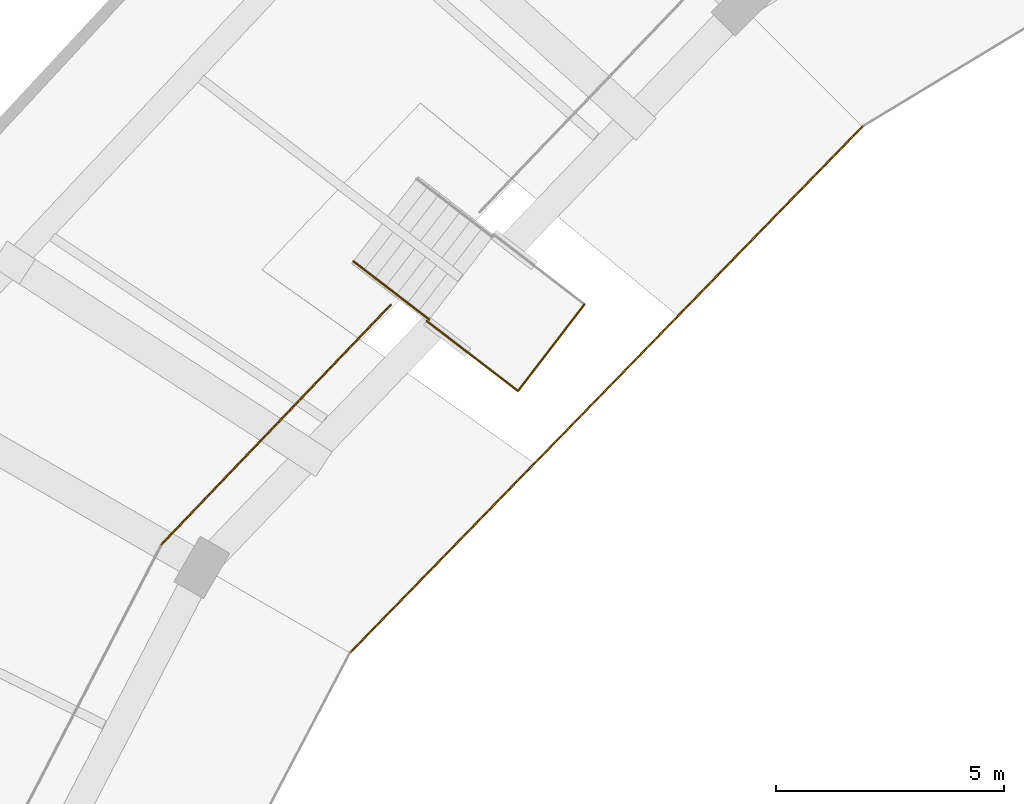
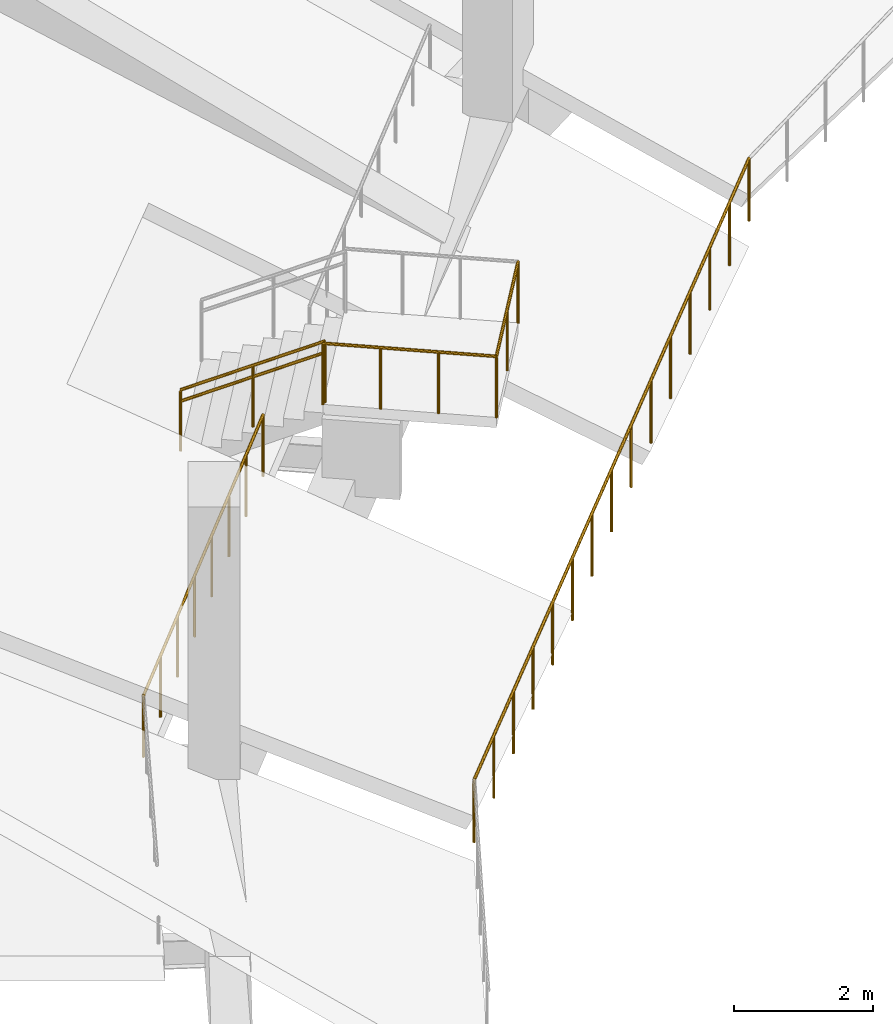
# One storey, part 125 of 152: 6 railings.
"""IFC4 building model written with IfcOpenShell, lengths in metres."""

import ifcopenshell
import ifcopenshell.guid

model = None  # the IFC model being written
_history = None  # IfcOwnerHistory: only IFC2X3 demands one
_inside = {}  # id of a spatial element -> (the spatial element, [elements in it])
_under = {}  # id of a project, library or spatial element -> (it, [spatial elements below it])
_declared = {}  # id of a project -> (the project, [libraries it declares])
_typed = {}  # id of a type object -> (the type object, [elements of that type])
_made_of = {}  # id of a material, layer set ... -> (it, [elements and type objects made of it])


def new_model(schema):
    """Start an empty IFC model of exactly this schema.

    Asked for "IFC4X3", IfcOpenShell would pick the latest addendum, in which some entities
    have other attributes; the version numbers below select the first issue.
    IFC2X3 requires an IfcOwnerHistory on every rooted entity: one is made here for all.
    """
    global model, _history
    if schema == "IFC4X3":
        model = ifcopenshell.file(schema_version=(4, 3, 0, 0))
    else:
        model = ifcopenshell.file(schema=schema)
    _inside.clear()
    _under.clear()
    _declared.clear()
    _typed.clear()
    _made_of.clear()
    _history = None
    if model.schema == "IFC2X3":
        org = make("IfcOrganization", Name="unknown")
        user = make(
            "IfcPersonAndOrganization",
            ThePerson=make("IfcPerson", FamilyName="unknown"),
            TheOrganization=org,
        )
        app = make(
            "IfcApplication",
            ApplicationDeveloper=org,
            Version="unknown",
            ApplicationFullName="unknown",
            ApplicationIdentifier="unknown",
        )
        _history = make(
            "IfcOwnerHistory",
            OwningUser=user,
            OwningApplication=app,
            ChangeAction="ADDED",
            CreationDate=0,
        )
    return model


def make(cls, **values):
    """One entity of the class cls with the attributes given. An attribute that is None is left unset."""
    return model.create_entity(
        cls, **{name: value for name, value in values.items() if value is not None}
    )


def rooted(cls, **values):
    """An entity with a GlobalId (a new one), such as an element, a storey or a relation."""
    return make(cls, GlobalId=ifcopenshell.guid.new(), OwnerHistory=_history, **values)


def si_unit(unit_type, name, prefix=None):
    """IfcSIUnit, for example si_unit("LENGTHUNIT", "METRE", prefix="MILLI")."""
    return make("IfcSIUnit", UnitType=unit_type, Prefix=prefix, Name=name)


def assignment(units):
    """IfcUnitAssignment: the units of a project."""
    return None if units is None else make("IfcUnitAssignment", Units=units)


def point(xyz):
    """IfcCartesianPoint."""
    return None if xyz is None else make("IfcCartesianPoint", Coordinates=xyz)


def direction(xyz):
    """IfcDirection."""
    return None if xyz is None else make("IfcDirection", DirectionRatios=xyz)


def frame(location, z_axis=None, x_axis=None):
    """IfcAxis2Placement3D, a coordinate frame: its origin and axes. An axis left out is left unset."""
    return make(
        "IfcAxis2Placement3D",
        Location=point(location),
        Axis=direction(z_axis),
        RefDirection=direction(x_axis),
    )


def frame_2d(location, x_axis=None):
    """IfcAxis2Placement2D, a coordinate frame in the plane: its origin and x axis."""
    return make(
        "IfcAxis2Placement2D", Location=point(location), RefDirection=direction(x_axis)
    )


def origin():
    """The frame at (0, 0, 0) with its axes left unset."""
    return frame((0.0, 0.0, 0.0))


def origin_2d():
    """The frame at (0, 0) in the plane with its x axis left unset."""
    return frame_2d((0.0, 0.0))


def place(relative_to, where):
    """IfcLocalPlacement: puts the frame where relative to a parent placement (None: the world)."""
    return make(
        "IfcLocalPlacement", PlacementRelTo=relative_to, RelativePlacement=where
    )


def context(
    kind, dimensions, precision=None, world=None, true_north=None, identifier=None
):
    """IfcGeometricRepresentationContext, for example the 3D "Model" context."""
    return make(
        "IfcGeometricRepresentationContext",
        ContextIdentifier=identifier,
        ContextType=kind,
        CoordinateSpaceDimension=dimensions,
        Precision=precision,
        WorldCoordinateSystem=world,
        TrueNorth=true_north,
    )


def subcontext(parent, identifier, kind, view, scale=None):
    """IfcGeometricRepresentationSubContext, for example "Body" below "Model"."""
    return make(
        "IfcGeometricRepresentationSubContext",
        ContextIdentifier=identifier,
        ContextType=kind,
        ParentContext=parent,
        TargetScale=scale,
        TargetView=view,
    )


def project(units=None, contexts=None):
    """IfcProject with its units and contexts."""
    return rooted(
        "IfcProject",
        Name="project",
        RepresentationContexts=contexts,
        UnitsInContext=assignment(units),
    )


def spatial(cls, under=None, at=None, **own):
    """A site, building, storey or space (cls), placed at a placement, below another one or the project."""
    s = rooted(cls, ObjectPlacement=at, **own)
    if under is not None:
        _under.setdefault(under.id(), (under, []))[1].append(s)
    return s


def profile(cls, at=None, kind="AREA", **sizes):
    """A parametric profile (cls). Its sizes go by their IFC names, for example OverallWidth=200.0."""
    return make(cls, ProfileType=kind, Position=at, **sizes)


def circle(**sizes):
    """IfcCircleProfileDef."""
    return profile("IfcCircleProfileDef", **sizes)


def extrude(swept, where, along, depth):
    """IfcExtrudedAreaSolid: the profile swept, set in the frame where, extruded along a direction by depth."""
    return make(
        "IfcExtrudedAreaSolid",
        SweptArea=swept,
        Position=where,
        ExtrudedDirection=direction(along),
        Depth=depth,
    )


def shape(context_of_items, identifier, shape_type, items):
    """IfcShapeRepresentation: the items that make up one representation, for example the "Body"."""
    return make(
        "IfcShapeRepresentation",
        ContextOfItems=context_of_items,
        RepresentationIdentifier=identifier,
        RepresentationType=shape_type,
        Items=items,
    )


def material(Name=None, Category=None):
    """IfcMaterial."""
    return make("IfcMaterial", Name=Name, Category=Category)


def made_of(thing, what):
    """Note that an element or type object is made of a material, layer set ...; save() writes the relation."""
    if what is not None:
        _made_of.setdefault(what.id(), (what, []))[1].append(thing)
    return thing


def type_object(cls, material=None, **own):
    """A type object (cls), such as IfcWallType, which elements share."""
    return made_of(rooted(cls, **own), material)


def element(
    cls,
    number,
    at=None,
    inside=None,
    cuts=None,
    type_object=None,
    material=None,
    context=None,
    identifier="Body",
    shape_type=None,
    held_by="IfcProductDefinitionShape",
    body=None,
    shapes=None,
    **own,
):
    """One element of the class cls, such as IfcWall. Its Tag is "e" and its number.

    at: its placement. inside: the storey or other place that contains it. cuts: it is an
    opening in that element (IfcRelVoidsElement). A single representation is given by context,
    identifier, shape_type and body (its items); several are given by shapes. held_by: the class
    of the entity that holds the representations. save() writes the other relations.
    """
    e = rooted(cls, Tag="e%d" % number, ObjectPlacement=at, **own)
    if body is not None:
        shapes = [shape(context, identifier, shape_type, body)]
    if shapes is not None:
        e.Representation = make(held_by, Representations=shapes)
    if inside is not None:
        _inside.setdefault(inside.id(), (inside, []))[1].append(e)
    if cuts is not None:
        rooted(
            "IfcRelVoidsElement", RelatingBuildingElement=cuts, RelatedOpeningElement=e
        )
    if type_object is not None:
        _typed.setdefault(type_object.id(), (type_object, []))[1].append(e)
    return made_of(e, material)


def aggregate(whole, parts):
    """IfcRelAggregates: a whole, such as a stair, and the parts it consists of."""
    return rooted("IfcRelAggregates", RelatingObject=whole, RelatedObjects=parts)


def save(model, path):
    """Write the relations noted so far, then the file.

    IfcRelAggregates (storeys below a building ...), IfcRelContainedInSpatialStructure (elements
    in a storey), IfcRelDefinesByType, IfcRelAssociatesMaterial and IfcRelDeclares: one each for
    every whole, place, type object, material and project.
    """
    for whole, parts in _under.values():
        aggregate(whole, parts)
    for where, things in _inside.values():
        rooted(
            "IfcRelContainedInSpatialStructure",
            RelatedElements=things,
            RelatingStructure=where,
        )
    for kind, things in _typed.values():
        rooted("IfcRelDefinesByType", RelatedObjects=things, RelatingType=kind)
    for what, things in _made_of.values():
        rooted("IfcRelAssociatesMaterial", RelatedObjects=things, RelatingMaterial=what)
    for by, libraries in _declared.values():
        rooted("IfcRelDeclares", RelatingContext=by, RelatedDefinitions=libraries)
    model.write(path)


model = new_model("IFC4")

# Units and contexts
model_context = context("Model", 3, precision=1e-05, world=origin(), true_north=direction((0.0, 1.0)))
body_context = subcontext(model_context, "Body", "Model", "MODEL_VIEW")
ifc_project = project(units=[si_unit("LENGTHUNIT", "METRE"), si_unit("AREAUNIT", "SQUARE_METRE"), si_unit("VOLUMEUNIT", "CUBIC_METRE"), si_unit("PLANEANGLEUNIT", "RADIAN"), si_unit("MASSUNIT", "GRAM", prefix="KILO")], contexts=[model_context])

# Site, building, storey
site_placement = place(None, origin())
site = spatial("IfcSite", under=ifc_project, at=site_placement, CompositionType="ELEMENT")
building_placement = place(site_placement, origin())
building = spatial("IfcBuilding", under=site, at=building_placement, Name="Zevraka Park Crest Stadium", CompositionType="ELEMENT")
storey_placement = place(building_placement, frame((0.0, 0.0, 15.0)))
storey = spatial("IfcBuildingStorey", under=building, at=storey_placement, Name="L03", CompositionType="ELEMENT", Elevation=15.0)

# Railings
ifc_material_1 = material(Name="Galvanised and bronze-finished steel balustrade", Category="steel")
railing_type_1 = type_object("IfcRailingType", Name="GR01", PredefinedType="GUARDRAIL", material=ifc_material_1)
railing_1_placement = place(storey_placement, frame((51.623046875, 127.510986328125, 0.0)))
element("IfcRailing", 1, at=railing_1_placement, inside=storey, type_object=railing_type_1, Name="Deck Edge Protection Guardrail GR01 L03-76", PredefinedType="GUARDRAIL", context=body_context, shape_type="SweptSolid", body=[
    extrude(circle(Radius=0.02392578125, at=origin_2d()), frame((0.0, 0.0, 1.076171875), z_axis=(-0.691339270545, -0.72253028518, 0.0), x_axis=(0.72253028518, -0.691339270545, 0.0)), (0.0, 0.0, 1.0), 7.271484375),
    extrude(circle(Radius=0.02099609375, at=origin_2d()), origin(), (0.0, 0.0, 1.0), 1.052001953125),
    extrude(circle(Radius=0.02099609375, at=origin_2d()), frame((-0.71826171875, -0.75048828125, 0.0)), (0.0, 0.0, 1.0), 1.052001953125),
    extrude(circle(Radius=0.02099609375, at=origin_2d()), frame((-1.436279296875, -1.501220703125, 0.0)), (0.0, 0.0, 1.0), 1.052001953125),
    extrude(circle(Radius=0.02099609375, at=origin_2d()), frame((-2.154541015625, -2.251708984375, 0.0)), (0.0, 0.0, 1.0), 1.052001953125),
    extrude(circle(Radius=0.02099609375, at=origin_2d()), frame((-2.87255859375, -3.002197265625, 0.0)), (0.0, 0.0, 1.0), 1.052001953125),
    extrude(circle(Radius=0.02099609375, at=origin_2d()), frame((-3.5908203125, -3.752685546875, 0.0)), (0.0, 0.0, 1.0), 1.052001953125),
    extrude(circle(Radius=0.02099609375, at=origin_2d()), frame((-4.308837890625, -4.50341796875, 0.0)), (0.0, 0.0, 1.0), 1.052001953125),
    extrude(circle(Radius=0.02099609375, at=origin_2d()), frame((-5.027099609375, -5.25390625, 0.0)), (0.0, 0.0, 1.0), 1.052001953125),
])
ifc_material_2 = material(Name="Laminated glass and stainless steel sightline bowl guard", Category="steel")
railing_type_2 = type_object("IfcRailingType", Name="GR02", PredefinedType="GUARDRAIL", material=ifc_material_2)
railing_2_placement = place(storey_placement, frame((61.971923828125, 131.4208984375, -1.5)))
element("IfcRailing", 2, at=railing_2_placement, inside=storey, type_object=railing_type_2, Name="Upper Tier Cantilever Sightline Guard GR02 09", PredefinedType="GUARDRAIL", context=body_context, shape_type="SweptSolid", body=[
    extrude(circle(Radius=0.02392578125, at=origin_2d()), frame((0.0, 0.0, 1.09619140625), z_axis=(-0.697644105553, -0.716444486326, 0.0), x_axis=(0.716444486326, -0.697644105553, 0.0)), (0.0, 0.0, 1.0), 16.115478515625),
    extrude(circle(Radius=0.02099609375, at=origin_2d()), origin(), (0.0, 0.0, 1.0), 1.072021484375),
    extrude(circle(Radius=0.02099609375, at=origin_2d()), frame((-0.802978515625, -0.82470703125, 0.0)), (0.0, 0.0, 1.0), 1.072021484375),
    extrude(circle(Radius=0.02099609375, at=origin_2d()), frame((-1.606201171875, -1.6494140625, 0.0)), (0.0, 0.0, 1.0), 1.072021484375),
    extrude(circle(Radius=0.02099609375, at=origin_2d()), frame((-2.4091796875, -2.47412109375, 0.0)), (0.0, 0.0, 1.0), 1.072021484375),
    extrude(circle(Radius=0.02099609375, at=origin_2d()), frame((-3.212158203125, -3.298828125, 0.0)), (0.0, 0.0, 1.0), 1.072021484375),
    extrude(circle(Radius=0.02099609375, at=origin_2d()), frame((-4.015380859375, -4.12353515625, 0.0)), (0.0, 0.0, 1.0), 1.072021484375),
    extrude(circle(Radius=0.02099609375, at=origin_2d()), frame((-4.818359375, -4.9482421875, 0.0)), (0.0, 0.0, 1.0), 1.072021484375),
    extrude(circle(Radius=0.02099609375, at=origin_2d()), frame((-5.62158203125, -5.77294921875, 0.0)), (0.0, 0.0, 1.0), 1.072021484375),
    extrude(circle(Radius=0.02099609375, at=origin_2d()), frame((-6.424560546875, -6.59765625, 0.0)), (0.0, 0.0, 1.0), 1.072021484375),
    extrude(circle(Radius=0.02099609375, at=origin_2d()), frame((-7.2275390625, -7.42236328125, 0.0)), (0.0, 0.0, 1.0), 1.072021484375),
    extrude(circle(Radius=0.02099609375, at=origin_2d()), frame((-8.03076171875, -8.2470703125, 0.0)), (0.0, 0.0, 1.0), 1.072021484375),
    extrude(circle(Radius=0.02099609375, at=origin_2d()), frame((-8.833740234375, -9.07177734375, 0.0)), (0.0, 0.0, 1.0), 1.072021484375),
    extrude(circle(Radius=0.02099609375, at=origin_2d()), frame((-9.63671875, -9.896484375, 0.0)), (0.0, 0.0, 1.0), 1.072021484375),
    extrude(circle(Radius=0.02099609375, at=origin_2d()), frame((-10.43994140625, -10.72119140625, 0.0)), (0.0, 0.0, 1.0), 1.072021484375),
    extrude(circle(Radius=0.02099609375, at=origin_2d()), frame((-11.242919921875, -11.5458984375, 0.0)), (0.0, 0.0, 1.0), 1.072021484375),
])
ifc_material_3 = material(Name="Powder-coated tubular steel stairwell guard", Category="steel")
railing_type_3 = type_object("IfcRailingType", Name="GR03", PredefinedType="GUARDRAIL", material=ifc_material_3)
railing_3_placement = place(storey_placement, frame((50.802978515625, 128.468017578125, 0.14990234375)))
element("IfcRailing", 3, at=railing_3_placement, inside=storey, type_object=railing_type_3, Name="Vomitory Flight Guard VS-12-1", PredefinedType="GUARDRAIL", context=body_context, shape_type="SweptSolid", body=[
    extrude(circle(Radius=0.02392578125, at=origin_2d()), frame((0.0, 0.0, 1.076171875), z_axis=(0.709477038954, -0.5446878967, 0.447165994218), x_axis=(0.608963378379, 0.793198338244, 0.0)), (0.0, 0.0, 1.0), 2.34814453125),
    extrude(circle(Radius=0.02099609375, at=origin_2d()), origin(), (0.0, 0.0, 1.0), 1.052001953125),
    extrude(circle(Radius=0.02099609375, at=origin_2d()), frame((0.8330078125, -0.6396484375, 0.52490234375)), (0.0, 0.0, 1.0), 1.052001953125),
    extrude(circle(Radius=0.02099609375, at=origin_2d()), frame((1.666015625, -1.279052734375, 1.050048828125)), (0.0, 0.0, 1.0), 1.052001953125),
])
railing_4_placement = place(storey_placement, frame((52.4130859375, 127.156982421875, 1.199951171875)))
element("IfcRailing", 4, at=railing_4_placement, inside=storey, type_object=railing_type_3, Name="Vomitory Landing Guard VS-12-1", PredefinedType="GUARDRAIL", context=body_context, shape_type="SweptSolid", body=[
    extrude(circle(Radius=0.02392578125, at=origin_2d()), frame((0.0, 0.0, 1.076171875), z_axis=(0.793360374373, -0.608752261906, 0.0), x_axis=(0.608752261906, 0.793360374373, 0.0)), (0.0, 0.0, 1.0), 2.524658203125),
    extrude(circle(Radius=0.02099609375, at=origin_2d()), origin(), (0.0, 0.0, 1.0), 1.052001953125),
    extrude(circle(Radius=0.02099609375, at=origin_2d()), frame((0.667724609375, -0.51220703125, 0.0)), (0.0, 0.0, 1.0), 1.052001953125),
    extrude(circle(Radius=0.02099609375, at=origin_2d()), frame((1.335205078125, -1.024658203125, 0.0)), (0.0, 0.0, 1.0), 1.052001953125),
    extrude(circle(Radius=0.02099609375, at=origin_2d()), frame((2.0029296875, -1.536865234375, 0.0)), (0.0, 0.0, 1.0), 1.052001953125),
])
railing_5_placement = place(storey_placement, frame((54.416015625, 125.6201171875, 1.199951171875)))
element("IfcRailing", 5, at=railing_5_placement, inside=storey, type_object=railing_type_3, Name="Vomitory Landing Guard VS-12-2", PredefinedType="GUARDRAIL", context=body_context, shape_type="SweptSolid", body=[
    extrude(circle(Radius=0.02392578125, at=origin_2d()), frame((0.0, 0.0, 1.076171875), z_axis=(0.608786026993, 0.793334464988, 0.0), x_axis=(-0.793334464988, 0.608786026993, 0.0)), (0.0, 0.0, 1.0), 2.399658203125),
    extrude(circle(Radius=0.02099609375, at=origin_2d()), origin(), (0.0, 0.0, 1.0), 1.052001953125),
    extrude(circle(Radius=0.02099609375, at=origin_2d()), frame((0.73046875, 0.951904296875, 0.0)), (0.0, 0.0, 1.0), 1.052001953125),
    extrude(circle(Radius=0.02099609375, at=origin_2d()), frame((1.4609375, 1.90380859375, 0.0)), (0.0, 0.0, 1.0), 1.052001953125),
])
ifc_material_4 = material(Name="Brushed stainless steel continuous handrail", Category="steel")
railing_type_4 = type_object("IfcRailingType", Name="HR01", PredefinedType="HANDRAIL", material=ifc_material_4)
railing_6_placement = place(storey_placement, frame((50.802978515625, 128.468017578125, 0.14990234375)))
element("IfcRailing", 6, at=railing_6_placement, inside=storey, type_object=railing_type_4, Name="Vomitory Handrail VS-12-1", PredefinedType="HANDRAIL", context=body_context, shape_type="SweptSolid", body=[
    extrude(circle(Radius=0.02392578125, at=origin_2d()), frame((0.0, 0.0, 0.8759765625), z_axis=(0.709477038954, -0.5446878967, 0.447165994218), x_axis=(0.608963378379, 0.793198338244, 0.0)), (0.0, 0.0, 1.0), 2.34814453125),
    extrude(circle(Radius=0.02099609375, at=origin_2d()), origin(), (0.0, 0.0, 1.0), 0.851806640625),
    extrude(circle(Radius=0.02099609375, at=origin_2d()), frame((0.8330078125, -0.6396484375, 0.52490234375)), (0.0, 0.0, 1.0), 0.851806640625),
    extrude(circle(Radius=0.02099609375, at=origin_2d()), frame((1.666015625, -1.279052734375, 1.050048828125)), (0.0, 0.0, 1.0), 0.851806640625),
])

save(model, "model.ifc")
